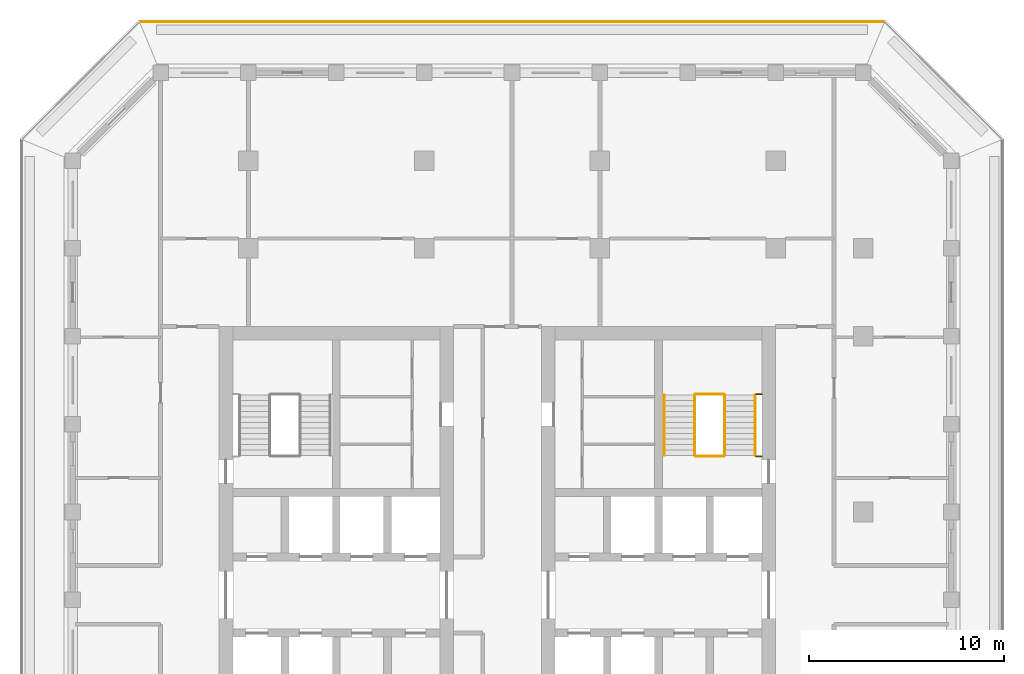
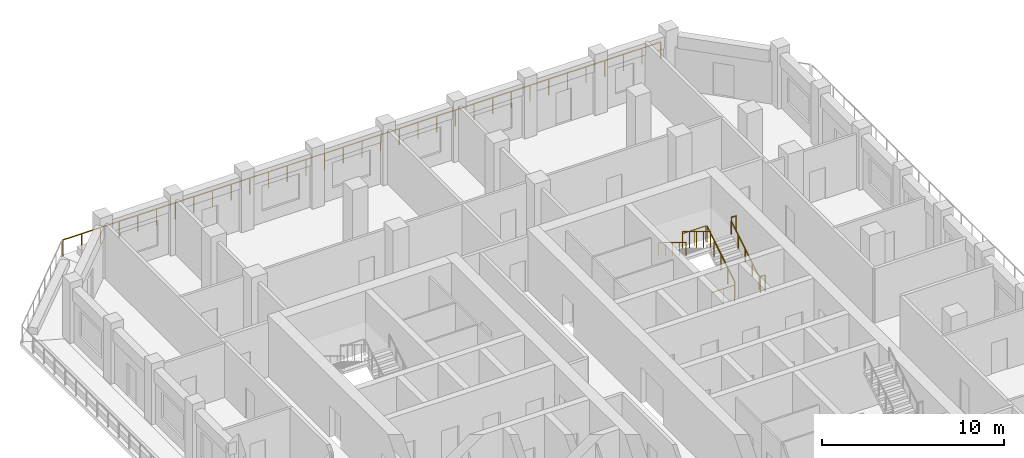
# One storey, part 15 of 17: 9 railings.
"""IFC4 building model written with IfcOpenShell, lengths in metres."""

from ifc_helpers import new_model, si_unit, direction, frame, origin, origin_2d, place, context, subcontext, project, spatial, circle, extrude, material, type_object, element, save


model = new_model("IFC4")

# Units and contexts
model_context = context("Model", 3, precision=1e-05, world=origin(), true_north=direction((0.0, 1.0)))
body_context = subcontext(model_context, "Body", "Model", "MODEL_VIEW")
ifc_project = project(units=[si_unit("LENGTHUNIT", "METRE"), si_unit("AREAUNIT", "SQUARE_METRE"), si_unit("VOLUMEUNIT", "CUBIC_METRE"), si_unit("PLANEANGLEUNIT", "RADIAN"), si_unit("MASSUNIT", "GRAM", prefix="KILO")], contexts=[model_context])

# Site, building, storey
site_placement = place(None, origin())
site = spatial("IfcSite", under=ifc_project, at=site_placement, CompositionType="ELEMENT")
building_placement = place(site_placement, origin())
building = spatial("IfcBuilding", under=site, at=building_placement, Name="Corbel Stack Research Tower", CompositionType="ELEMENT")
storey_placement = place(building_placement, frame((0.0, 0.0, 243.89990234375)))
storey = spatial("IfcBuildingStorey", under=building, at=storey_placement, Name="L55", CompositionType="ELEMENT", Elevation=243.89990234375)

# Railings
ifc_material_1 = material(Name="Steel S355", Category="steel")
railing_type_1 = type_object("IfcRailingType", Name="Stair guard 1100", PredefinedType="GUARDRAIL", material=ifc_material_1)
railing_1_placement = place(storey_placement, frame((15.39990234375, 11.89990234375, 0.1708984375)))
element("IfcRailing", 1, at=railing_1_placement, inside=storey, type_object=railing_type_1, Name="L55 ST-E2 stair guard 1", PredefinedType="GUARDRAIL", context=body_context, shape_type="SweptSolid", body=[
    extrude(circle(Radius=0.02392578125, at=origin_2d()), frame((0.0, 0.0, 1.076171875), z_axis=(0.0, 0.853666305674, 0.52082035152), x_axis=(-1.0, 0.0, 0.0)), (0.0, 0.0, 1.0), 3.608154296875),
    extrude(circle(Radius=0.02099609375, at=origin_2d()), origin(), (0.0, 0.0, 1.0), 1.052001953125),
    extrude(circle(Radius=0.02099609375, at=origin_2d()), frame((0.0, 0.77001953125, 0.4697265625)), (0.0, 0.0, 1.0), 1.052001953125),
    extrude(circle(Radius=0.02099609375, at=origin_2d()), frame((0.0, 1.5400390625, 0.939453125)), (0.0, 0.0, 1.0), 1.052001953125),
    extrude(circle(Radius=0.02099609375, at=origin_2d()), frame((0.0, 2.31005859375, 1.409423828125)), (0.0, 0.0, 1.0), 1.052001953125),
    extrude(circle(Radius=0.02099609375, at=origin_2d()), frame((0.0, 3.080078125, 1.879150390625)), (0.0, 0.0, 1.0), 1.052001953125),
])
railing_2_placement = place(storey_placement, frame((15.35009765625, 15.030029296875, 2.050048828125)))
element("IfcRailing", 2, at=railing_2_placement, inside=storey, type_object=railing_type_1, Name="L55 ST-E2 stair guard 2", PredefinedType="GUARDRAIL", context=body_context, shape_type="SweptSolid", body=[
    extrude(circle(Radius=0.02392578125, at=origin_2d()), frame((0.0, 0.0, 1.076171875), z_axis=(-1.0, 0.0, 0.0), x_axis=(0.0, -1.0, 0.0)), (0.0, 0.0, 1.0), 1.4501953125),
    extrude(circle(Radius=0.02099609375, at=origin_2d()), origin(), (0.0, 0.0, 1.0), 1.052001953125),
    extrude(circle(Radius=0.02099609375, at=origin_2d()), frame((-0.72509765625, 0.0, 0.0)), (0.0, 0.0, 1.0), 1.052001953125),
    extrude(circle(Radius=0.02099609375, at=origin_2d()), frame((-1.4501953125, 0.0, 0.0)), (0.0, 0.0, 1.0), 1.052001953125),
])
railing_3_placement = place(storey_placement, frame((17.300048828125, 15.030029296875, 2.050048828125)))
element("IfcRailing", 3, at=railing_3_placement, inside=storey, type_object=railing_type_1, Name="L55 ST-E2 stair guard 3", PredefinedType="GUARDRAIL", context=body_context, shape_type="SweptSolid", body=[
    extrude(circle(Radius=0.02392578125, at=origin_2d()), frame((0.0, 0.0, 1.076171875), z_axis=(-1.0, 0.0, 0.0), x_axis=(0.0, -1.0, 0.0)), (0.0, 0.0, 1.0), 0.300048828125),
    extrude(circle(Radius=0.02099609375, at=origin_2d()), origin(), (0.0, 0.0, 1.0), 1.052001953125),
    extrude(circle(Radius=0.02099609375, at=origin_2d()), frame((-0.300048828125, 0.0, 0.0)), (0.0, 0.0, 1.0), 1.052001953125),
])
railing_4_placement = place(storey_placement, frame((13.85009765625, 14.97998046875, 2.220947265625)))
element("IfcRailing", 4, at=railing_4_placement, inside=storey, type_object=railing_type_1, Name="L55 ST-E2 stair guard 4", PredefinedType="GUARDRAIL", context=body_context, shape_type="SweptSolid", body=[
    extrude(circle(Radius=0.02392578125, at=origin_2d()), frame((0.0, 0.0, 1.076171875), z_axis=(0.0, -0.853666305674, 0.52082035152), x_axis=(1.0, 0.0, 0.0)), (0.0, 0.0, 1.0), 3.608154296875),
    extrude(circle(Radius=0.02099609375, at=origin_2d()), origin(), (0.0, 0.0, 1.0), 1.052001953125),
    extrude(circle(Radius=0.02099609375, at=origin_2d()), frame((0.0, -0.77001953125, 0.4697265625)), (0.0, 0.0, 1.0), 1.052001953125),
    extrude(circle(Radius=0.02099609375, at=origin_2d()), frame((0.0, -1.5400390625, 0.939453125)), (0.0, 0.0, 1.0), 1.052001953125),
    extrude(circle(Radius=0.02099609375, at=origin_2d()), frame((0.0, -2.31005859375, 1.409423828125)), (0.0, 0.0, 1.0), 1.052001953125),
    extrude(circle(Radius=0.02099609375, at=origin_2d()), frame((0.0, -3.080078125, 1.879150390625)), (0.0, 0.0, 1.0), 1.052001953125),
])
railing_5_placement = place(storey_placement, frame((15.35009765625, 11.85009765625, 0.0)))
element("IfcRailing", 5, at=railing_5_placement, inside=storey, type_object=railing_type_1, Name="L55 ST-E2 stair guard 5", PredefinedType="GUARDRAIL", context=body_context, shape_type="SweptSolid", body=[
    extrude(circle(Radius=0.02392578125, at=origin_2d()), frame((0.0, 0.0, 1.076171875), z_axis=(-1.0, 0.0, 0.0), x_axis=(0.0, -1.0, 0.0)), (0.0, 0.0, 1.0), 1.4501953125),
    extrude(circle(Radius=0.02099609375, at=origin_2d()), origin(), (0.0, 0.0, 1.0), 1.052001953125),
    extrude(circle(Radius=0.02099609375, at=origin_2d()), frame((-0.72509765625, 0.0, 0.0)), (0.0, 0.0, 1.0), 1.052001953125),
    extrude(circle(Radius=0.02099609375, at=origin_2d()), frame((-1.4501953125, 0.0, 0.0)), (0.0, 0.0, 1.0), 1.052001953125),
])
railing_6_placement = place(storey_placement, frame((17.300048828125, 11.85009765625, 0.0)))
element("IfcRailing", 6, at=railing_6_placement, inside=storey, type_object=railing_type_1, Name="L55 ST-E2 stair guard 6", PredefinedType="GUARDRAIL", context=body_context, shape_type="SweptSolid", body=[
    extrude(circle(Radius=0.02392578125, at=origin_2d()), frame((0.0, 0.0, 1.076171875), z_axis=(-1.0, 0.0, 0.0), x_axis=(0.0, -1.0, 0.0)), (0.0, 0.0, 1.0), 0.300048828125),
    extrude(circle(Radius=0.02099609375, at=origin_2d()), origin(), (0.0, 0.0, 1.0), 1.052001953125),
    extrude(circle(Radius=0.02099609375, at=origin_2d()), frame((-0.300048828125, 0.0, 0.0)), (0.0, 0.0, 1.0), 1.052001953125),
])
ifc_material_2 = material(Name="Steel S355", Category="steel")
railing_type_2 = type_object("IfcRailingType", Name="Stair handrail 900", PredefinedType="HANDRAIL", material=ifc_material_2)
railing_7_placement = place(storey_placement, frame((16.949951171875, 11.89990234375, 0.1708984375)))
element("IfcRailing", 7, at=railing_7_placement, inside=storey, type_object=railing_type_2, Name="L55 ST-E2 stair handrail 1", PredefinedType="HANDRAIL", context=body_context, shape_type="SweptSolid", body=[
    extrude(circle(Radius=0.02392578125, at=origin_2d()), frame((0.0, 0.0, 0.8759765625), z_axis=(0.0, 0.853666305674, 0.52082035152), x_axis=(-1.0, 0.0, 0.0)), (0.0, 0.0, 1.0), 3.608154296875),
    extrude(circle(Radius=0.02099609375, at=origin_2d()), origin(), (0.0, 0.0, 1.0), 0.851806640625),
    extrude(circle(Radius=0.02099609375, at=origin_2d()), frame((0.0, 0.77001953125, 0.4697265625)), (0.0, 0.0, 1.0), 0.851806640625),
    extrude(circle(Radius=0.02099609375, at=origin_2d()), frame((0.0, 1.5400390625, 0.939453125)), (0.0, 0.0, 1.0), 0.851806640625),
    extrude(circle(Radius=0.02099609375, at=origin_2d()), frame((0.0, 2.31005859375, 1.409423828125)), (0.0, 0.0, 1.0), 0.851806640625),
    extrude(circle(Radius=0.02099609375, at=origin_2d()), frame((0.0, 3.080078125, 1.879150390625)), (0.0, 0.0, 1.0), 0.851806640625),
])
railing_8_placement = place(storey_placement, frame((12.300048828125, 14.97998046875, 2.220947265625)))
element("IfcRailing", 8, at=railing_8_placement, inside=storey, type_object=railing_type_2, Name="L55 ST-E2 stair handrail 2", PredefinedType="HANDRAIL", context=body_context, shape_type="SweptSolid", body=[
    extrude(circle(Radius=0.02392578125, at=origin_2d()), frame((0.0, 0.0, 0.8759765625), z_axis=(0.0, -0.853666305674, 0.52082035152), x_axis=(1.0, 0.0, 0.0)), (0.0, 0.0, 1.0), 3.608154296875),
    extrude(circle(Radius=0.02099609375, at=origin_2d()), origin(), (0.0, 0.0, 1.0), 0.851806640625),
    extrude(circle(Radius=0.02099609375, at=origin_2d()), frame((0.0, -0.77001953125, 0.4697265625)), (0.0, 0.0, 1.0), 0.851806640625),
    extrude(circle(Radius=0.02099609375, at=origin_2d()), frame((0.0, -1.5400390625, 0.939453125)), (0.0, 0.0, 1.0), 0.851806640625),
    extrude(circle(Radius=0.02099609375, at=origin_2d()), frame((0.0, -2.31005859375, 1.409423828125)), (0.0, 0.0, 1.0), 0.851806640625),
    extrude(circle(Radius=0.02099609375, at=origin_2d()), frame((0.0, -3.080078125, 1.879150390625)), (0.0, 0.0, 1.0), 0.851806640625),
])
ifc_material_3 = material(Name="Powder-coated steel guard", Category="steel")
railing_type_3 = type_object("IfcRailingType", Name="Steel and glass guard 1100", PredefinedType="GUARDRAIL", material=ifc_material_3)
railing_9_placement = place(storey_placement, frame((23.50537109375, 34.10009765625, 0.0)))
element("IfcRailing", 9, at=railing_9_placement, inside=storey, type_object=railing_type_3, Name="Loggia guard L55 N", PredefinedType="GUARDRAIL", context=body_context, shape_type="SweptSolid", body=[
    extrude(circle(Radius=0.02392578125, at=origin_2d()), frame((0.0, 0.0, 1.076171875), z_axis=(-1.0, 0.0, 0.0), x_axis=(0.0, -1.0, 0.0)), (0.0, 0.0, 1.0), 38.0107421875),
    extrude(circle(Radius=0.02099609375, at=origin_2d()), origin(), (0.0, 0.0, 1.0), 1.052001953125),
    extrude(circle(Radius=0.02099609375, at=origin_2d()), frame((-1.187744140625, 0.0, 0.0)), (0.0, 0.0, 1.0), 1.052001953125),
    extrude(circle(Radius=0.02099609375, at=origin_2d()), frame((-2.375732421875, 0.0, 0.0)), (0.0, 0.0, 1.0), 1.052001953125),
    extrude(circle(Radius=0.02099609375, at=origin_2d()), frame((-3.5634765625, 0.0, 0.0)), (0.0, 0.0, 1.0), 1.052001953125),
    extrude(circle(Radius=0.02099609375, at=origin_2d()), frame((-4.75146484375, 0.0, 0.0)), (0.0, 0.0, 1.0), 1.052001953125),
    extrude(circle(Radius=0.02099609375, at=origin_2d()), frame((-5.939208984375, 0.0, 0.0)), (0.0, 0.0, 1.0), 1.052001953125),
    extrude(circle(Radius=0.02099609375, at=origin_2d()), frame((-7.126953125, 0.0, 0.0)), (0.0, 0.0, 1.0), 1.052001953125),
    extrude(circle(Radius=0.02099609375, at=origin_2d()), frame((-8.31494140625, 0.0, 0.0)), (0.0, 0.0, 1.0), 1.052001953125),
    extrude(circle(Radius=0.02099609375, at=origin_2d()), frame((-9.502685546875, 0.0, 0.0)), (0.0, 0.0, 1.0), 1.052001953125),
    extrude(circle(Radius=0.02099609375, at=origin_2d()), frame((-10.6904296875, 0.0, 0.0)), (0.0, 0.0, 1.0), 1.052001953125),
    extrude(circle(Radius=0.02099609375, at=origin_2d()), frame((-11.87841796875, 0.0, 0.0)), (0.0, 0.0, 1.0), 1.052001953125),
    extrude(circle(Radius=0.02099609375, at=origin_2d()), frame((-13.066162109375, 0.0, 0.0)), (0.0, 0.0, 1.0), 1.052001953125),
    extrude(circle(Radius=0.02099609375, at=origin_2d()), frame((-14.25390625, 0.0, 0.0)), (0.0, 0.0, 1.0), 1.052001953125),
    extrude(circle(Radius=0.02099609375, at=origin_2d()), frame((-15.44189453125, 0.0, 0.0)), (0.0, 0.0, 1.0), 1.052001953125),
    extrude(circle(Radius=0.02099609375, at=origin_2d()), frame((-16.629638671875, 0.0, 0.0)), (0.0, 0.0, 1.0), 1.052001953125),
    extrude(circle(Radius=0.02099609375, at=origin_2d()), frame((-17.817626953125, 0.0, 0.0)), (0.0, 0.0, 1.0), 1.052001953125),
    extrude(circle(Radius=0.02099609375, at=origin_2d()), frame((-19.00537109375, 0.0, 0.0)), (0.0, 0.0, 1.0), 1.052001953125),
    extrude(circle(Radius=0.02099609375, at=origin_2d()), frame((-20.193115234375, 0.0, 0.0)), (0.0, 0.0, 1.0), 1.052001953125),
    extrude(circle(Radius=0.02099609375, at=origin_2d()), frame((-21.381103515625, 0.0, 0.0)), (0.0, 0.0, 1.0), 1.052001953125),
    extrude(circle(Radius=0.02099609375, at=origin_2d()), frame((-22.56884765625, 0.0, 0.0)), (0.0, 0.0, 1.0), 1.052001953125),
    extrude(circle(Radius=0.02099609375, at=origin_2d()), frame((-23.7568359375, 0.0, 0.0)), (0.0, 0.0, 1.0), 1.052001953125),
    extrude(circle(Radius=0.02099609375, at=origin_2d()), frame((-24.944580078125, 0.0, 0.0)), (0.0, 0.0, 1.0), 1.052001953125),
    extrude(circle(Radius=0.02099609375, at=origin_2d()), frame((-26.13232421875, 0.0, 0.0)), (0.0, 0.0, 1.0), 1.052001953125),
    extrude(circle(Radius=0.02099609375, at=origin_2d()), frame((-27.3203125, 0.0, 0.0)), (0.0, 0.0, 1.0), 1.052001953125),
    extrude(circle(Radius=0.02099609375, at=origin_2d()), frame((-28.508056640625, 0.0, 0.0)), (0.0, 0.0, 1.0), 1.052001953125),
    extrude(circle(Radius=0.02099609375, at=origin_2d()), frame((-29.69580078125, 0.0, 0.0)), (0.0, 0.0, 1.0), 1.052001953125),
    extrude(circle(Radius=0.02099609375, at=origin_2d()), frame((-30.8837890625, 0.0, 0.0)), (0.0, 0.0, 1.0), 1.052001953125),
    extrude(circle(Radius=0.02099609375, at=origin_2d()), frame((-32.071533203125, 0.0, 0.0)), (0.0, 0.0, 1.0), 1.052001953125),
    extrude(circle(Radius=0.02099609375, at=origin_2d()), frame((-33.25927734375, 0.0, 0.0)), (0.0, 0.0, 1.0), 1.052001953125),
    extrude(circle(Radius=0.02099609375, at=origin_2d()), frame((-34.447265625, 0.0, 0.0)), (0.0, 0.0, 1.0), 1.052001953125),
    extrude(circle(Radius=0.02099609375, at=origin_2d()), frame((-35.635009765625, 0.0, 0.0)), (0.0, 0.0, 1.0), 1.052001953125),
    extrude(circle(Radius=0.02099609375, at=origin_2d()), frame((-36.822998046875, 0.0, 0.0)), (0.0, 0.0, 1.0), 1.052001953125),
    extrude(circle(Radius=0.02099609375, at=origin_2d()), frame((-38.0107421875, 0.0, 0.0)), (0.0, 0.0, 1.0), 1.052001953125),
])

save(model, "model.ifc")
